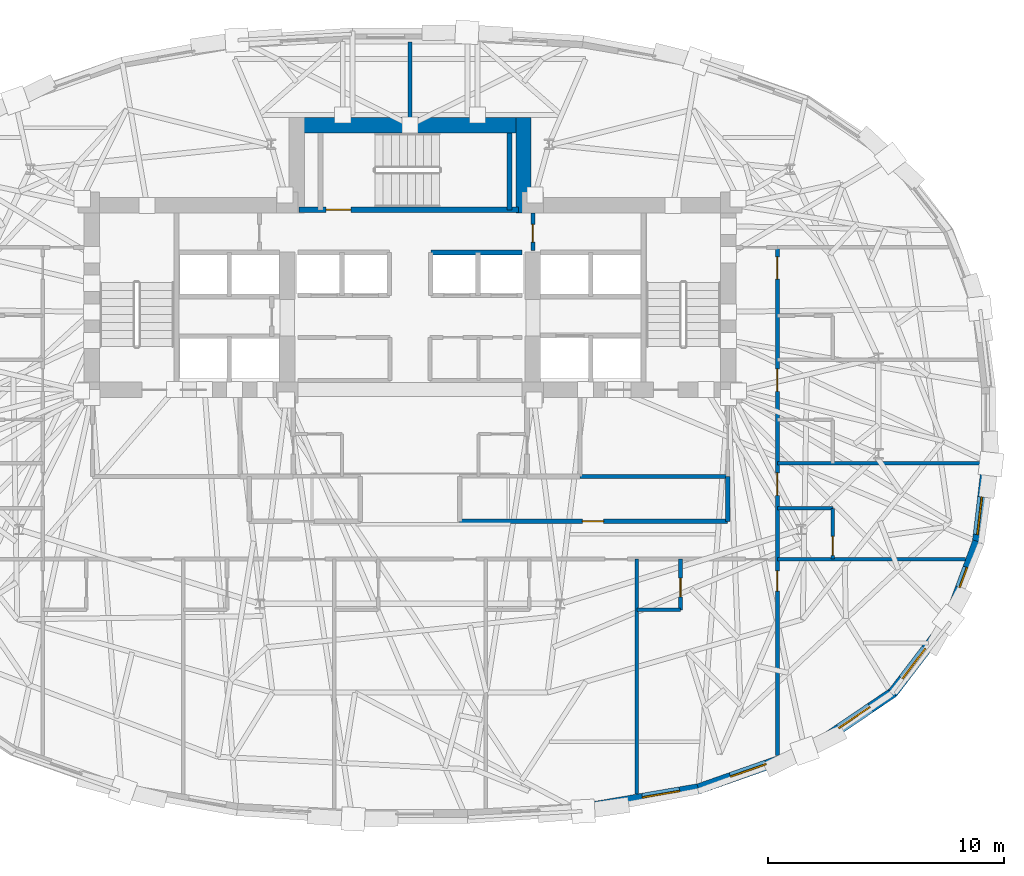
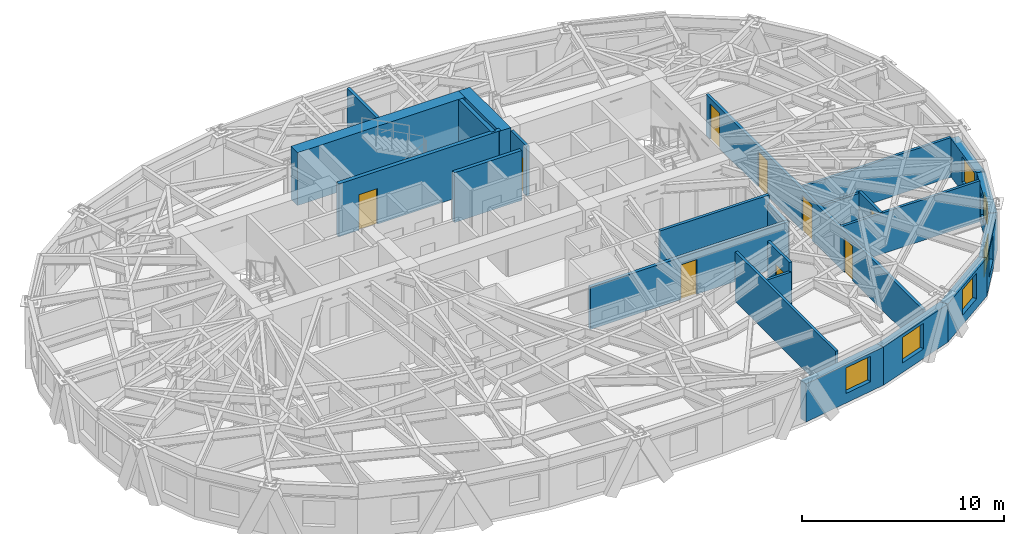
# One storey, part 9 of 15: 24 walls, 9 doors, 6 windows, 15 openings.
"""IFC4 building model written with IfcOpenShell, lengths in metres."""

from ifc_helpers import new_model, si_unit, direction, frame, frame_2d, origin, place, context, subcontext, project, spatial, rectangle, extrude, material, layer, layer_set, type_object, element, fill, save


model = new_model("IFC4")

# Units and contexts
model_context = context("Model", 3, precision=1e-05, world=origin(), true_north=direction((0.0, 1.0)))
body_context = subcontext(model_context, "Body", "Model", "MODEL_VIEW")
ifc_project = project(units=[si_unit("LENGTHUNIT", "METRE"), si_unit("AREAUNIT", "SQUARE_METRE"), si_unit("VOLUMEUNIT", "CUBIC_METRE"), si_unit("PLANEANGLEUNIT", "RADIAN"), si_unit("MASSUNIT", "GRAM", prefix="KILO")], contexts=[model_context])

# Site, building, storey
site_placement = place(None, origin())
site = spatial("IfcSite", under=ifc_project, at=site_placement, CompositionType="ELEMENT")
building_placement = place(site_placement, origin())
building = spatial("IfcBuilding", under=site, at=building_placement, Name="Keldmark Tower", CompositionType="ELEMENT")
storey_placement = place(building_placement, frame((0.0, 0.0, 143.800048828125)))
storey = spatial("IfcBuildingStorey", under=building, at=storey_placement, Name="L38", CompositionType="ELEMENT", Elevation=143.800048828125)

# Wall, opening, door
ifc_material_1 = material(Name="Heavy Acoustic Plumbing Chase Gypsum Assembly", Category="gypsum")
ifc_layer_1 = layer(ifc_material_1, 0.18994140625)
ifc_layer_set_1 = layer_set([ifc_layer_1], Name="Heavy Acoustic Plumbing Chase Gypsum Assembly")
wall_type_1 = type_object("IfcWallType", Name="Heavy Wet Wall 190 mm", PredefinedType="PLUMBINGWALL", material=ifc_layer_set_1)
wall_1_placement = place(storey_placement, frame((2.10009765625, -4.050048828125, 0.0), z_axis=(0.0, 0.0, 1.0), x_axis=(1.0, 0.0, 0.0)))
wall_1 = element("IfcWall", 1, at=wall_1_placement, inside=storey, type_object=wall_type_1, Name="L38 Heavy Wet Wall 190 mm SPK-E-S", PredefinedType="PLUMBINGWALL", context=body_context, shape_type="SweptSolid", body=[
    extrude(rectangle(XDim=11.349853515625, YDim=0.18994140625, at=frame_2d((5.6748046875, 0.0))), origin(), (0.0, 0.0, 1.0), 2.554931640625),
])
opening_1_placement = place(wall_1_placement, frame((5.199951171875, 0.0, 0.0)))
opening_1 = element("IfcOpeningElement", 2, at=opening_1_placement, cuts=wall_1, Name="Opening D-IN090", PredefinedType="OPENING", context=body_context, shape_type="SweptSolid", body=[
    extrude(rectangle(XDim=0.89990234375, YDim=2.10009765625, at=frame_2d((0.449951171875, 1.050048828125))), frame((0.0, 0.10498046875, 0.0), z_axis=(0.0, -1.0, 0.0), x_axis=(1.0, 0.0, 0.0)), (0.0, 0.0, 1.0), 0.2099609375),
])
ifc_material_2 = material(Name="Stained American White Oak Veneer", Category="wood")
door_type_1 = type_object("IfcDoorType", Name="Interior Door 900x2100", OperationType="NOTDEFINED", PredefinedType="DOOR", material=ifc_material_2)
door_1_placement = place(opening_1_placement, origin())
door_1 = element("IfcDoor", 3, at=door_1_placement, inside=storey, type_object=door_type_1, Name="L38 Interior Door 900x2100 D-SPKE1-L38", OperationType="SINGLE_SWING_RIGHT", OverallHeight=2.10009765625, OverallWidth=0.89990234375, PredefinedType="DOOR", context=body_context, shape_type="SweptSolid", body=[
    extrude(rectangle(XDim=0.89990234375, YDim=2.10009765625, at=frame_2d((0.449951171875, 1.050048828125))), frame((0.0, 0.02490234375, 0.0), z_axis=(0.0, -1.0, 0.0), x_axis=(1.0, 0.0, 0.0)), (0.0, 0.0, 1.0), 0.050048828125),
])
fill(opening_1, door_1)

# Walls
wall_2_placement = place(storey_placement, frame((13.449951171875, -4.050048828125, 0.0), z_axis=(0.0, 0.0, 1.0), x_axis=(0.0, 1.0, 0.0)))
element("IfcWall", 4, at=wall_2_placement, inside=storey, type_object=wall_type_1, Name="L38 Heavy Wet Wall 190 mm SPK-E-E", PredefinedType="PLUMBINGWALL", context=body_context, shape_type="SweptSolid", body=[
    extrude(rectangle(XDim=1.900146484375, YDim=0.18994140625, at=frame_2d((0.9501953125, 0.0))), origin(), (0.0, 0.0, 1.0), 2.472900390625),
])
ifc_material_3 = material(Name="Type X Fire-Rated Gypsum Partition Assembly", Category="gypsum")
ifc_layer_2 = layer(ifc_material_3, 0.1650390625)
ifc_layer_set_2 = layer_set([ifc_layer_2], Name="Type X Fire-Rated Gypsum Partition Assembly")
wall_type_2 = type_object("IfcWallType", Name="Rated Partition 165 mm", PredefinedType="PARTITIONING", material=ifc_layer_set_2)
wall_3_placement = place(storey_placement, frame((7.199951171875, -2.14990234375, 0.0), z_axis=(0.0, 0.0, 1.0), x_axis=(1.0, 0.0, 0.0)))
element("IfcWall", 5, at=wall_3_placement, inside=storey, type_object=wall_type_2, Name="L38 Rated Partition 165 mm FSAE-E-S", PredefinedType="PARTITIONING", context=body_context, shape_type="SweptSolid", body=[
    extrude(rectangle(XDim=6.25, YDim=0.1650390625, at=frame_2d((3.125, 0.0))), origin(), (0.0, 0.0, 1.0), 3.02001953125),
])

# Wall, opening, door
wall_4_placement = place(storey_placement, frame((5.199951171875, 7.419921875, 0.0), z_axis=(0.0, 0.0, 1.0), x_axis=(0.0, 1.0, 0.0)))
wall_4 = element("IfcWall", 6, at=wall_4_placement, inside=storey, type_object=wall_type_2, Name="L38 Rated Partition 165 mm CS-NE-W", PredefinedType="PARTITIONING", context=body_context, shape_type="SweptSolid", body=[
    extrude(rectangle(XDim=1.580078125, YDim=0.1650390625, at=frame_2d((0.7900390625, 0.0))), origin(), (0.0, 0.0, 1.0), 3.02001953125),
])
opening_2_placement = place(wall_4_placement, frame((0.35009765625, 0.0, 0.0)))
opening_2 = element("IfcOpeningElement", 7, at=opening_2_placement, cuts=wall_4, Name="Opening D-RS075", PredefinedType="OPENING", context=body_context, shape_type="SweptSolid", body=[
    extrude(rectangle(XDim=0.75, YDim=2.10009765625, at=frame_2d((0.375, 1.050048828125))), frame((0.0, 0.092529296875, 0.0), z_axis=(0.0, -1.0, 0.0), x_axis=(1.0, 0.0, 0.0)), (0.0, 0.0, 1.0), 0.18505859375),
])
ifc_material_4 = material(Name="Galvanized Fire-Rated Access Leaf", Category="metal")
door_type_2 = type_object("IfcDoorType", Name="Riser Access Door 750x2100", OperationType="NOTDEFINED", PredefinedType="DOOR", material=ifc_material_4)
door_2_placement = place(opening_2_placement, origin())
door_2 = element("IfcDoor", 8, at=door_2_placement, inside=storey, type_object=door_type_2, Name="L38 Riser Access Door 750x2100 D-CSNE1-L38", OperationType="SINGLE_SWING_LEFT", OverallHeight=2.10009765625, OverallWidth=0.75, PredefinedType="DOOR", context=body_context, shape_type="SweptSolid", body=[
    extrude(rectangle(XDim=0.75, YDim=2.10009765625, at=frame_2d((0.375, 1.050048828125))), frame((0.0, 0.02490234375, 0.0), z_axis=(0.0, -1.0, 0.0), x_axis=(1.0, 0.0, 0.0)), (0.0, 0.0, 1.0), 0.050048828125),
])
fill(opening_2, door_2)

# Wall, openings, doors
wall_5_placement = place(storey_placement, frame((15.550048828125, -13.964599609375, 0.0), z_axis=(0.0, 0.0, 1.0), x_axis=(0.0, 1.0, 0.0)))
wall_5 = element("IfcWall", 9, at=wall_5_placement, inside=storey, type_object=wall_type_2, Name="L38 Rated Partition 165 mm HCOR-E", PredefinedType="PARTITIONING", context=body_context, shape_type="SweptSolid", body=[
    extrude(rectangle(XDim=21.5146484375, YDim=0.1650390625, at=frame_2d((10.75732421875, 0.0))), origin(), (0.0, 0.0, 1.0), 2.472900390625),
])
opening_3_placement = place(wall_5_placement, frame((6.964111328125, 0.0, 0.0)))
opening_3 = element("IfcOpeningElement", 10, at=opening_3_placement, cuts=wall_5, Name="Opening D-IN085", PredefinedType="OPENING", context=body_context, shape_type="SweptSolid", body=[
    extrude(rectangle(XDim=0.85009765625, YDim=2.10009765625, at=frame_2d((0.425048828125, 1.050048828125))), frame((0.0, 0.092529296875, 0.0), z_axis=(0.0, -1.0, 0.0), x_axis=(1.0, 0.0, 0.0)), (0.0, 0.0, 1.0), 0.18505859375),
])
opening_4_placement = place(wall_5_placement, frame((11.01416015625, 0.0, 0.0)))
opening_4 = element("IfcOpeningElement", 11, at=opening_4_placement, cuts=wall_5, Name="Opening D-HT095", PredefinedType="OPENING", context=body_context, shape_type="SweptSolid", body=[
    extrude(rectangle(XDim=0.949951171875, YDim=2.14990234375, at=frame_2d((0.47509765625, 1.074951171875))), frame((0.0, 0.092529296875, 0.0), z_axis=(0.0, -1.0, 0.0), x_axis=(1.0, 0.0, 0.0)), (0.0, 0.0, 1.0), 0.18505859375),
])
opening_5_placement = place(wall_5_placement, frame((15.4140625, 0.0, 0.0)))
opening_5 = element("IfcOpeningElement", 12, at=opening_5_placement, cuts=wall_5, Name="Opening D-HT095", PredefinedType="OPENING", context=body_context, shape_type="SweptSolid", body=[
    extrude(rectangle(XDim=0.949951171875, YDim=2.14990234375, at=frame_2d((0.47509765625, 1.074951171875))), frame((0.0, 0.092529296875, 0.0), z_axis=(0.0, -1.0, 0.0), x_axis=(1.0, 0.0, 0.0)), (0.0, 0.0, 1.0), 0.18505859375),
])
opening_6_placement = place(wall_5_placement, frame((20.1650390625, 0.0, 0.0)))
opening_6 = element("IfcOpeningElement", 13, at=opening_6_placement, cuts=wall_5, Name="Opening D-HT095", PredefinedType="OPENING", context=body_context, shape_type="SweptSolid", body=[
    extrude(rectangle(XDim=0.949951171875, YDim=2.14990234375, at=frame_2d((0.47509765625, 1.074951171875))), frame((0.0, 0.092529296875, 0.0), z_axis=(0.0, -1.0, 0.0), x_axis=(1.0, 0.0, 0.0)), (0.0, 0.0, 1.0), 0.18505859375),
])
ifc_material_5 = material(Name="Solid-Core Acoustic White Oak Fire-Rated Assembly", Category="wood")
door_type_3 = type_object("IfcDoorType", Name="Hotel Entry Door 950x2150", OperationType="NOTDEFINED", PredefinedType="DOOR", material=ifc_material_5)
door_3_placement = place(opening_4_placement, origin())
door_3 = element("IfcDoor", 14, at=door_3_placement, inside=storey, type_object=door_type_3, Name="L38 Hotel Entry Door 950x2150 D-HR-9-L38", OperationType="SINGLE_SWING_LEFT", OverallHeight=2.14990234375, OverallWidth=0.949951171875, PredefinedType="DOOR", context=body_context, shape_type="SweptSolid", body=[
    extrude(rectangle(XDim=0.949951171875, YDim=2.14990234375, at=frame_2d((0.47509765625, 1.074951171875))), frame((0.0, 0.02490234375, 0.0), z_axis=(0.0, -1.0, 0.0), x_axis=(1.0, 0.0, 0.0)), (0.0, 0.0, 1.0), 0.050048828125),
])
fill(opening_4, door_3)
door_4_placement = place(opening_5_placement, origin())
door_4 = element("IfcDoor", 15, at=door_4_placement, inside=storey, type_object=door_type_3, Name="L38 Hotel Entry Door 950x2150 D-HR-10-L38", OperationType="SINGLE_SWING_LEFT", OverallHeight=2.14990234375, OverallWidth=0.949951171875, PredefinedType="DOOR", context=body_context, shape_type="SweptSolid", body=[
    extrude(rectangle(XDim=0.949951171875, YDim=2.14990234375, at=frame_2d((0.47509765625, 1.074951171875))), frame((0.0, 0.02490234375, 0.0), z_axis=(0.0, -1.0, 0.0), x_axis=(1.0, 0.0, 0.0)), (0.0, 0.0, 1.0), 0.050048828125),
])
fill(opening_5, door_4)
door_5_placement = place(opening_6_placement, origin())
door_5 = element("IfcDoor", 16, at=door_5_placement, inside=storey, type_object=door_type_3, Name="L38 Hotel Entry Door 950x2150 D-HR-11-L38", OperationType="SINGLE_SWING_LEFT", OverallHeight=2.14990234375, OverallWidth=0.949951171875, PredefinedType="DOOR", context=body_context, shape_type="SweptSolid", body=[
    extrude(rectangle(XDim=0.949951171875, YDim=2.14990234375, at=frame_2d((0.47509765625, 1.074951171875))), frame((0.0, 0.02490234375, 0.0), z_axis=(0.0, -1.0, 0.0), x_axis=(1.0, 0.0, 0.0)), (0.0, 0.0, 1.0), 0.050048828125),
])
fill(opening_6, door_5)
ifc_material_6 = material(Name="Painted Architectural Wood", Category="wood")
door_type_4 = type_object("IfcDoorType", Name="Interior Door 850x2100", OperationType="NOTDEFINED", PredefinedType="DOOR", material=ifc_material_6)
door_6_placement = place(opening_3_placement, origin())
door_6 = element("IfcDoor", 17, at=door_6_placement, inside=storey, type_object=door_type_4, Name="L38 Interior Door 850x2100 D-HKSE-L38", OperationType="SINGLE_SWING_RIGHT", OverallHeight=2.10009765625, OverallWidth=0.85009765625, PredefinedType="DOOR", context=body_context, shape_type="SweptSolid", body=[
    extrude(rectangle(XDim=0.85009765625, YDim=2.10009765625, at=frame_2d((0.425048828125, 1.050048828125))), frame((0.0, 0.02490234375, 0.0), z_axis=(0.0, -1.0, 0.0), x_axis=(1.0, 0.0, 0.0)), (0.0, 0.0, 1.0), 0.050048828125),
])
fill(opening_3, door_6)

# Walls
wall_6_placement = place(storey_placement, frame((0.0, 13.050048828125, 0.0), z_axis=(0.0, 0.0, 1.0), x_axis=(0.0, 1.0, 0.0)))
element("IfcWall", 18, at=wall_6_placement, inside=storey, type_object=wall_type_2, Name="L38 Rated Partition 165 mm HN-DIV", PredefinedType="PARTITIONING", context=body_context, shape_type="SweptSolid", body=[
    extrude(rectangle(XDim=3.19775390625, YDim=0.1650390625, at=frame_2d((1.598876953125, 0.0))), origin(), (0.0, 0.0, 1.0), 3.02001953125),
])
ifc_material_7 = material(Name="Fire-Resistant Type X Gypsum Shaftliner Coreboard", Category="gypsum")
ifc_layer_3 = layer(ifc_material_7, 0.199951171875)
ifc_layer_set_3 = layer_set([ifc_layer_3], Name="Fire-Resistant Type X Gypsum Shaftliner Coreboard")
wall_type_3 = type_object("IfcWallType", Name="Shaft Wall 200 mm", PredefinedType="SOLIDWALL", material=ifc_layer_set_3)
wall_7_placement = place(storey_placement, frame((0.8798828125, 7.330078125, 0.0), z_axis=(0.0, 0.0, 1.0), x_axis=(1.0, 0.0, 0.0)))
element("IfcWall", 19, at=wall_7_placement, inside=storey, type_object=wall_type_3, Name="L38 Shaft Wall 200 mm MID-N-E", PredefinedType="SOLIDWALL", context=body_context, shape_type="SweptSolid", body=[
    extrude(rectangle(XDim=3.860107421875, YDim=0.199951171875, at=frame_2d((1.93017578125, 0.0))), origin(), (0.0, 0.0, 1.0), 3.02001953125),
])

# Wall, opening, door
ifc_material_8 = material(Name="Concrete C50/60", Category="concrete")
ifc_layer_4 = layer(ifc_material_8, 0.219970703125)
ifc_layer_set_4 = layer_set([ifc_layer_4], Name="Concrete C50/60")
wall_type_4 = type_object("IfcWallType", Name="Stair Core Shear Wall 220 mm", PredefinedType="SHEAR", material=ifc_layer_set_4)
wall_8_placement = place(storey_placement, frame((-4.699951171875, 9.139892578125, 0.0), z_axis=(0.0, 0.0, 1.0), x_axis=(1.0, 0.0, 0.0)))
wall_8 = element("IfcWall", 20, at=wall_8_placement, inside=storey, type_object=wall_type_4, Name="L38 Central Stair Core South Shear Wall", PredefinedType="SHEAR", context=body_context, shape_type="SweptSolid", body=[
    extrude(rectangle(XDim=9.300048828125, YDim=0.219970703125, at=frame_2d((4.64990234375, 0.0))), origin(), (0.0, 0.0, 1.0), 3.199951171875),
])
opening_7_placement = place(wall_8_placement, frame((1.14990234375, 0.0, 0.0)))
opening_7 = element("IfcOpeningElement", 21, at=opening_7_placement, cuts=wall_8, Name="Opening D-ST105", PredefinedType="OPENING", context=body_context, shape_type="SweptSolid", body=[
    extrude(rectangle(XDim=1.050048828125, YDim=2.14990234375, at=frame_2d((0.52490234375, 1.074951171875))), frame((0.0, 0.119873046875, 0.0), z_axis=(0.0, -1.0, 0.0), x_axis=(1.0, 0.0, 0.0)), (0.0, 0.0, 1.0), 0.239990234375),
])
ifc_material_9 = material(Name="Hollow Metal Fire-Rated Door Assembly", Category="metal")
door_type_5 = type_object("IfcDoorType", Name="Stair Fire Door 1050x2150", OperationType="NOTDEFINED", PredefinedType="DOOR", material=ifc_material_9)
door_7_placement = place(opening_7_placement, origin())
door_7 = element("IfcDoor", 22, at=door_7_placement, inside=storey, type_object=door_type_5, Name="L38 Stair Fire Door 1050x2150 D-ST3-L38", OperationType="SINGLE_SWING_RIGHT", OverallHeight=2.14990234375, OverallWidth=1.050048828125, PredefinedType="DOOR", context=body_context, shape_type="SweptSolid", body=[
    extrude(rectangle(XDim=1.050048828125, YDim=2.14990234375, at=frame_2d((0.52490234375, 1.074951171875))), frame((0.0, 0.02490234375, 0.0), z_axis=(0.0, -1.0, 0.0), x_axis=(1.0, 0.0, 0.0)), (0.0, 0.0, 1.0), 0.050048828125),
])
fill(opening_7, door_7)

# Wall
wall_9_placement = place(storey_placement, frame((4.215087890625, 9.139892578125, 0.0), z_axis=(0.0, 0.0, 1.0), x_axis=(0.0, 1.0, 0.0)))
element("IfcWall", 23, at=wall_9_placement, inside=storey, type_object=wall_type_4, Name="L38 Central Stair Core East Shear Wall", PredefinedType="SHEAR", context=body_context, shape_type="SweptSolid", body=[
    extrude(rectangle(XDim=3.260009765625, YDim=0.219970703125, at=frame_2d((1.6298828125, 0.0))), origin(), (0.0, 0.0, 1.0), 3.199951171875),
])

# Wall, opening, window
ifc_material_10 = material(Name="Ironspot Manganese Brick and Kasota Buff Limestone Spandrel Assembly", Category="masonry")
ifc_layer_5 = layer(ifc_material_10, 0.43994140625)
ifc_layer_set_5 = layer_set([ifc_layer_5], Name="Ironspot Manganese Brick and Kasota Buff Limestone Spandrel Assembly")
wall_type_5 = type_object("IfcWallType", Name="Tower Brick Pier and Spandrel Wall 440 mm", PredefinedType="STANDARD", material=ifc_layer_set_5)
wall_10_placement = place(storey_placement, frame((12.252197265625, -15.367431640625, 0.0), z_axis=(0.0, 0.0, 1.0), x_axis=(-0.985640803986, -0.168855575915, 0.0)))
wall_10 = element("IfcWall", 24, at=wall_10_placement, inside=storey, type_object=wall_type_5, Name="L38 Exterior Brick and Spandrel Wall 26", PredefinedType="STANDARD", context=body_context, shape_type="SweptSolid", body=[
    extrude(rectangle(XDim=5.008544921875, YDim=0.43994140625, at=frame_2d((2.50439453125, 0.0))), origin(), (0.0, 0.0, 1.0), 2.31494140625),
])
opening_8_placement = place(wall_10_placement, frame((0.841064453125, 0.0, 0.580078125)))
opening_8 = element("IfcOpeningElement", 25, at=opening_8_placement, cuts=wall_10, Name="Opening W-04", PredefinedType="OPENING", context=body_context, shape_type="SweptSolid", body=[
    extrude(rectangle(XDim=1.60009765625, YDim=1.550048828125, at=frame_2d((0.800048828125, 0.77490234375))), frame((0.0, 0.22998046875, 0.0), z_axis=(0.0, -1.0, 0.0), x_axis=(1.0, 0.0, 0.0)), (0.0, 0.0, 1.0), 0.4599609375),
])
ifc_material_11 = material(Name="Thermally Broken Anodized Aluminum and Triple Low-E Argon Glazing", Category="aluminium")
window_type_1 = type_object("IfcWindowType", Name="Hotel Deep-Set Operable Window 1600x1550", PartitioningType="DOUBLE_PANEL_HORIZONTAL", PredefinedType="WINDOW", material=ifc_material_11)
window_1_placement = place(opening_8_placement, origin())
window_1 = element("IfcWindow", 26, at=window_1_placement, inside=storey, type_object=window_type_1, Name="L38 Deep-Set Window 26", OverallHeight=1.550048828125, OverallWidth=1.60009765625, PartitioningType="SINGLE_PANEL", PredefinedType="WINDOW", context=body_context, shape_type="SweptSolid", body=[
    extrude(rectangle(XDim=1.60009765625, YDim=1.550048828125, at=frame_2d((0.800048828125, 0.77490234375))), frame((0.0, -0.010009765625, 0.0), z_axis=(0.0, -1.0, 0.0), x_axis=(1.0, 0.0, 0.0)), (0.0, 0.0, 1.0), 0.06005859375),
])
fill(opening_8, window_1)

wall_11_placement = place(storey_placement, frame((16.833251953125, -13.755615234375, 0.0), z_axis=(0.0, 0.0, 1.0), x_axis=(-0.943528860281, -0.331290340662, 0.0)))
wall_11 = element("IfcWall", 27, at=wall_11_placement, inside=storey, type_object=wall_type_5, Name="L38 Exterior Brick and Spandrel Wall 27", PredefinedType="STANDARD", context=body_context, shape_type="SweptSolid", body=[
    extrude(rectangle(XDim=4.893310546875, YDim=0.43994140625, at=frame_2d((2.44677734375, 0.0))), origin(), (0.0, 0.0, 1.0), 2.31494140625),
])
opening_9_placement = place(wall_11_placement, frame((1.84619140625, 0.0, 0.580078125)))
opening_9 = element("IfcOpeningElement", 28, at=opening_9_placement, cuts=wall_11, Name="Opening W-04", PredefinedType="OPENING", context=body_context, shape_type="SweptSolid", body=[
    extrude(rectangle(XDim=1.60009765625, YDim=1.550048828125, at=frame_2d((0.800048828125, 0.77490234375))), frame((0.0, 0.22998046875, 0.0), z_axis=(0.0, -1.0, 0.0), x_axis=(1.0, 0.0, 0.0)), (0.0, 0.0, 1.0), 0.4599609375),
])
window_2_placement = place(opening_9_placement, origin())
window_2 = element("IfcWindow", 29, at=window_2_placement, inside=storey, type_object=window_type_1, Name="L38 Deep-Set Window 27", OverallHeight=1.550048828125, OverallWidth=1.60009765625, PartitioningType="SINGLE_PANEL", PredefinedType="WINDOW", context=body_context, shape_type="SweptSolid", body=[
    extrude(rectangle(XDim=1.60009765625, YDim=1.550048828125, at=frame_2d((0.800048828125, 0.77490234375))), frame((0.0, -0.010009765625, 0.0), z_axis=(0.0, -1.0, 0.0), x_axis=(1.0, 0.0, 0.0)), (0.0, 0.0, 1.0), 0.06005859375),
])
fill(opening_9, window_2)

wall_12_placement = place(storey_placement, frame((20.476806640625, -11.277099609375, 0.0), z_axis=(0.0, 0.0, 1.0), x_axis=(-0.827741657842, -0.561109390291, 0.0)))
wall_12 = element("IfcWall", 30, at=wall_12_placement, inside=storey, type_object=wall_type_5, Name="L38 Exterior Brick and Spandrel Wall 28", PredefinedType="STANDARD", context=body_context, shape_type="SweptSolid", body=[
    extrude(rectangle(XDim=4.462890625, YDim=0.43994140625, at=frame_2d((2.2314453125, 0.0))), origin(), (0.0, 0.0, 1.0), 2.31494140625),
])
opening_10_placement = place(wall_12_placement, frame((1.18505859375, 0.0, 0.580078125)))
opening_10 = element("IfcOpeningElement", 31, at=opening_10_placement, cuts=wall_12, Name="Opening W-04", PredefinedType="OPENING", context=body_context, shape_type="SweptSolid", body=[
    extrude(rectangle(XDim=1.60009765625, YDim=1.550048828125, at=frame_2d((0.800048828125, 0.77490234375))), frame((0.0, 0.22998046875, 0.0), z_axis=(0.0, -1.0, 0.0), x_axis=(1.0, 0.0, 0.0)), (0.0, 0.0, 1.0), 0.4599609375),
])
window_3_placement = place(opening_10_placement, origin())
window_3 = element("IfcWindow", 32, at=window_3_placement, inside=storey, type_object=window_type_1, Name="L38 Deep-Set Window 28", OverallHeight=1.550048828125, OverallWidth=1.60009765625, PartitioningType="SINGLE_PANEL", PredefinedType="WINDOW", context=body_context, shape_type="SweptSolid", body=[
    extrude(rectangle(XDim=1.60009765625, YDim=1.550048828125, at=frame_2d((0.800048828125, 0.77490234375))), frame((0.0, -0.010009765625, 0.0), z_axis=(0.0, -1.0, 0.0), x_axis=(1.0, 0.0, 0.0)), (0.0, 0.0, 1.0), 0.06005859375),
])
fill(opening_10, window_3)

wall_13_placement = place(storey_placement, frame((22.81689453125, -8.1962890625, 0.0), z_axis=(0.0, 0.0, 1.0), x_axis=(-0.607215400231, -0.794537260122, 0.0)))
wall_13 = element("IfcWall", 33, at=wall_13_placement, inside=storey, type_object=wall_type_5, Name="L38 Exterior Brick and Spandrel Wall 29", PredefinedType="STANDARD", context=body_context, shape_type="SweptSolid", body=[
    extrude(rectangle(XDim=3.938720703125, YDim=0.43994140625, at=frame_2d((1.96923828125, 0.0))), origin(), (0.0, 0.0, 1.0), 2.31494140625),
])
opening_11_placement = place(wall_13_placement, frame((1.591796875, 0.0, 0.580078125)))
opening_11 = element("IfcOpeningElement", 34, at=opening_11_placement, cuts=wall_13, Name="Opening W-04", PredefinedType="OPENING", context=body_context, shape_type="SweptSolid", body=[
    extrude(rectangle(XDim=1.60009765625, YDim=1.550048828125, at=frame_2d((0.800048828125, 0.77490234375))), frame((0.0, 0.22998046875, 0.0), z_axis=(0.0, -1.0, 0.0), x_axis=(1.0, 0.0, 0.0)), (0.0, 0.0, 1.0), 0.4599609375),
])
window_4_placement = place(opening_11_placement, origin())
window_4 = element("IfcWindow", 35, at=window_4_placement, inside=storey, type_object=window_type_1, Name="L38 Deep-Set Window 29", OverallHeight=1.550048828125, OverallWidth=1.60009765625, PartitioningType="SINGLE_PANEL", PredefinedType="WINDOW", context=body_context, shape_type="SweptSolid", body=[
    extrude(rectangle(XDim=1.60009765625, YDim=1.550048828125, at=frame_2d((0.800048828125, 0.77490234375))), frame((0.0, -0.010009765625, 0.0), z_axis=(0.0, -1.0, 0.0), x_axis=(1.0, 0.0, 0.0)), (0.0, 0.0, 1.0), 0.06005859375),
])
fill(opening_11, window_4)

wall_14_placement = place(storey_placement, frame((24.033203125, -4.906982421875, 0.0), z_axis=(0.0, 0.0, 1.0), x_axis=(-0.349422124021, -0.936965409844, 0.0)))
wall_14 = element("IfcWall", 36, at=wall_14_placement, inside=storey, type_object=wall_type_5, Name="L38 Exterior Brick and Spandrel Wall 30", PredefinedType="STANDARD", context=body_context, shape_type="SweptSolid", body=[
    extrude(rectangle(XDim=3.571044921875, YDim=0.43994140625, at=frame_2d((1.78564453125, 0.0))), origin(), (0.0, 0.0, 1.0), 2.31494140625),
])
opening_12_placement = place(wall_14_placement, frame((1.1875, 0.0, 0.580078125)))
opening_12 = element("IfcOpeningElement", 37, at=opening_12_placement, cuts=wall_14, Name="Opening W-09", PredefinedType="OPENING", context=body_context, shape_type="SweptSolid", body=[
    extrude(rectangle(XDim=0.89990234375, YDim=1.35009765625, at=frame_2d((0.449951171875, 0.675048828125))), frame((0.0, 0.22998046875, 0.0), z_axis=(0.0, -1.0, 0.0), x_axis=(1.0, 0.0, 0.0)), (0.0, 0.0, 1.0), 0.4599609375),
])
ifc_material_12 = material(Name="Thermally Broken Anodized Aluminum and Triple Low-E Argon Glazing", Category="aluminium")
window_type_2 = type_object("IfcWindowType", Name="Corner Pier Deep-Set Window 900x1350", PartitioningType="SINGLE_PANEL", PredefinedType="WINDOW", material=ifc_material_12)
window_5_placement = place(opening_12_placement, origin())
window_5 = element("IfcWindow", 38, at=window_5_placement, inside=storey, type_object=window_type_2, Name="L38 Deep-Set Window 30", OverallHeight=1.35009765625, OverallWidth=0.89990234375, PartitioningType="SINGLE_PANEL", PredefinedType="WINDOW", context=body_context, shape_type="SweptSolid", body=[
    extrude(rectangle(XDim=0.89990234375, YDim=1.35009765625, at=frame_2d((0.449951171875, 0.675048828125))), frame((0.0, -0.010009765625, 0.0), z_axis=(0.0, -1.0, 0.0), x_axis=(1.0, 0.0, 0.0)), (0.0, 0.0, 1.0), 0.06005859375),
])
fill(opening_12, window_5)

wall_15_placement = place(storey_placement, frame((24.4130859375, -1.61865234375, 0.0), z_axis=(0.0, 0.0, 1.0), x_axis=(-0.116605336518, -0.993178330158, 0.0)))
wall_15 = element("IfcWall", 39, at=wall_15_placement, inside=storey, type_object=wall_type_5, Name="L38 Exterior Brick and Spandrel Wall 31", PredefinedType="STANDARD", context=body_context, shape_type="SweptSolid", body=[
    extrude(rectangle(XDim=3.362548828125, YDim=0.43994140625, at=frame_2d((1.68115234375, 0.0))), origin(), (0.0, 0.0, 1.0), 2.31494140625),
])
opening_13_placement = place(wall_15_placement, frame((1.41650390625, 0.0, 0.580078125)))
opening_13 = element("IfcOpeningElement", 40, at=opening_13_placement, cuts=wall_15, Name="Opening W-04", PredefinedType="OPENING", context=body_context, shape_type="SweptSolid", body=[
    extrude(rectangle(XDim=1.60009765625, YDim=1.550048828125, at=frame_2d((0.800048828125, 0.77490234375))), frame((0.0, 0.22998046875, 0.0), z_axis=(0.0, -1.0, 0.0), x_axis=(1.0, 0.0, 0.0)), (0.0, 0.0, 1.0), 0.4599609375),
])
window_6_placement = place(opening_13_placement, origin())
window_6 = element("IfcWindow", 41, at=window_6_placement, inside=storey, type_object=window_type_1, Name="L38 Deep-Set Window 31", OverallHeight=1.550048828125, OverallWidth=1.60009765625, PartitioningType="SINGLE_PANEL", PredefinedType="WINDOW", context=body_context, shape_type="SweptSolid", body=[
    extrude(rectangle(XDim=1.60009765625, YDim=1.550048828125, at=frame_2d((0.800048828125, 0.77490234375))), frame((0.0, -0.010009765625, 0.0), z_axis=(0.0, -1.0, 0.0), x_axis=(1.0, 0.0, 0.0)), (0.0, 0.0, 1.0), 0.06005859375),
])
fill(opening_13, window_6)

# Walls
ifc_material_13 = material(Name="Concrete C50/60", Category="concrete")
ifc_layer_6 = layer(ifc_material_13, 0.64990234375)
ifc_layer_set_6 = layer_set([ifc_layer_6], Name="Concrete C50/60")
wall_type_6 = type_object("IfcWallType", Name="Upper-Mid Core Shear Wall 650 mm", PredefinedType="SHEAR", material=ifc_layer_set_6)
wall_16_placement = place(storey_placement, frame((-5.125, 12.72509765625, 0.0), z_axis=(0.0, 0.0, 1.0), x_axis=(1.0, 0.0, 0.0)))
element("IfcWall", 42, at=wall_16_placement, inside=storey, type_object=wall_type_6, Name="L38 North Core Shear Wall", PredefinedType="SHEAR", context=body_context, shape_type="SweptSolid", body=[
    extrude(rectangle(XDim=10.25, YDim=0.64990234375, at=frame_2d((5.125, 0.0))), origin(), (0.0, 0.0, 1.0), 3.199951171875),
])
wall_17_placement = place(storey_placement, frame((4.800048828125, 9.0, 0.0), z_axis=(0.0, 0.0, 1.0), x_axis=(0.0, 1.0, 0.0)))
element("IfcWall", 43, at=wall_17_placement, inside=storey, type_object=wall_type_6, Name="L38 North Core East Shear Wall", PredefinedType="SHEAR", context=body_context, shape_type="SweptSolid", body=[
    extrude(rectangle(XDim=4.050048828125, YDim=0.64990234375, at=frame_2d((2.02490234375, 0.0))), origin(), (0.0, 0.0, 1.0), 3.199951171875),
])
ifc_material_14 = material(Name="Moisture-Resistant Gypsum Plumbing Partition", Category="gypsum")
ifc_layer_7 = layer(ifc_material_14, 0.14990234375)
ifc_layer_set_7 = layer_set([ifc_layer_7], Name="Moisture-Resistant Gypsum Plumbing Partition")
wall_type_7 = type_object("IfcWallType", Name="Wet Wall 150 mm", PredefinedType="PLUMBINGWALL", material=ifc_layer_set_7)
wall_18_placement = place(storey_placement, frame((15.550048828125, -5.64990234375, 0.0), z_axis=(0.0, 0.0, 1.0), x_axis=(1.0, 0.0, 0.0)))
element("IfcWall", 44, at=wall_18_placement, inside=storey, type_object=wall_type_7, Name="L38 Wet Wall 150 mm HE-CAP-S", PredefinedType="PLUMBINGWALL", context=body_context, shape_type="SweptSolid", body=[
    extrude(rectangle(XDim=7.962890625, YDim=0.14990234375, at=frame_2d((3.9814453125, 0.0))), origin(), (0.0, 0.0, 1.0), 2.472900390625),
])
wall_19_placement = place(storey_placement, frame((9.60009765625, -15.590576171875, 0.0), z_axis=(0.0, 0.0, 1.0), x_axis=(0.0, 1.0, 0.0)))
element("IfcWall", 45, at=wall_19_placement, inside=storey, type_object=wall_type_7, Name="L38 Wet Wall 150 mm HS-DIV-4", PredefinedType="PLUMBINGWALL", context=body_context, shape_type="SweptSolid", body=[
    extrude(rectangle(XDim=9.940673828125, YDim=0.14990234375, at=frame_2d((4.97021484375, 0.0))), origin(), (0.0, 0.0, 1.0), 3.02001953125),
])

# Wall, opening, door
wall_20_placement = place(storey_placement, frame((11.449951171875, -7.800048828125, 0.0), z_axis=(0.0, 0.0, 1.0), x_axis=(0.0, 1.0, 0.0)))
wall_20 = element("IfcWall", 46, at=wall_20_placement, inside=storey, type_object=wall_type_7, Name="L38 Wet Wall 150 mm HB-S5-E", PredefinedType="PLUMBINGWALL", context=body_context, shape_type="SweptSolid", body=[
    extrude(rectangle(XDim=2.150146484375, YDim=0.14990234375, at=frame_2d((1.0751953125, 0.0))), origin(), (0.0, 0.0, 1.0), 3.02001953125),
])
opening_14_placement = place(wall_20_placement, frame((0.550048828125, 0.0, 0.0)))
opening_14 = element("IfcOpeningElement", 47, at=opening_14_placement, cuts=wall_20, Name="Opening D-BT080", PredefinedType="OPENING", context=body_context, shape_type="SweptSolid", body=[
    extrude(rectangle(XDim=0.800048828125, YDim=2.10009765625, at=frame_2d((0.39990234375, 1.050048828125))), frame((0.0, 0.0849609375, 0.0), z_axis=(0.0, -1.0, 0.0), x_axis=(1.0, 0.0, 0.0)), (0.0, 0.0, 1.0), 0.169921875),
])
ifc_material_15 = material(Name="Moisture-Sealed Stained Wood", Category="wood")
door_type_6 = type_object("IfcDoorType", Name="Bathroom Door 800x2100", OperationType="NOTDEFINED", PredefinedType="DOOR", material=ifc_material_15)
door_8_placement = place(opening_14_placement, origin())
door_8 = element("IfcDoor", 48, at=door_8_placement, inside=storey, type_object=door_type_6, Name="L38 Bathroom Door 800x2100 D-HBS5-L38", OperationType="SINGLE_SWING_RIGHT", OverallHeight=2.10009765625, OverallWidth=0.800048828125, PredefinedType="DOOR", context=body_context, shape_type="SweptSolid", body=[
    extrude(rectangle(XDim=0.800048828125, YDim=2.10009765625, at=frame_2d((0.39990234375, 1.050048828125))), frame((0.0, 0.02490234375, 0.0), z_axis=(0.0, -1.0, 0.0), x_axis=(1.0, 0.0, 0.0)), (0.0, 0.0, 1.0), 0.050048828125),
])
fill(opening_14, door_8)

# Walls
wall_21_placement = place(storey_placement, frame((9.60009765625, -7.800048828125, 0.0), z_axis=(0.0, 0.0, 1.0), x_axis=(1.0, 0.0, 0.0)))
element("IfcWall", 49, at=wall_21_placement, inside=storey, type_object=wall_type_7, Name="L38 Wet Wall 150 mm HB-S5-S", PredefinedType="PLUMBINGWALL", context=body_context, shape_type="SweptSolid", body=[
    extrude(rectangle(XDim=1.849853515625, YDim=0.14990234375, at=frame_2d((0.9248046875, 0.0))), origin(), (0.0, 0.0, 1.0), 2.472900390625),
])
wall_22_placement = place(storey_placement, frame((15.550048828125, -1.60009765625, 0.0), z_axis=(0.0, 0.0, 1.0), x_axis=(1.0, 0.0, 0.0)))
element("IfcWall", 50, at=wall_22_placement, inside=storey, type_object=wall_type_7, Name="L38 Wet Wall 150 mm HE-DIV-1", PredefinedType="PLUMBINGWALL", context=body_context, shape_type="SweptSolid", body=[
    extrude(rectangle(XDim=8.633544921875, YDim=0.14990234375, at=frame_2d((4.31689453125, 0.0))), origin(), (0.0, 0.0, 1.0), 2.39794921875),
])
wall_23_placement = place(storey_placement, frame((15.550048828125, -3.5, 0.0), z_axis=(0.0, 0.0, 1.0), x_axis=(1.0, 0.0, 0.0)))
element("IfcWall", 51, at=wall_23_placement, inside=storey, type_object=wall_type_7, Name="L38 Wet Wall 150 mm HB-9-N", PredefinedType="PLUMBINGWALL", context=body_context, shape_type="SweptSolid", body=[
    extrude(rectangle(XDim=2.349853515625, YDim=0.14990234375, at=frame_2d((1.1748046875, 0.0))), origin(), (0.0, 0.0, 1.0), 2.39794921875),
])

# Wall, opening, door
wall_24_placement = place(storey_placement, frame((17.89990234375, -5.64990234375, 0.0), z_axis=(0.0, 0.0, 1.0), x_axis=(0.0, 1.0, 0.0)))
wall_24 = element("IfcWall", 52, at=wall_24_placement, inside=storey, type_object=wall_type_7, Name="L38 Wet Wall 150 mm HB-9-IN", PredefinedType="PLUMBINGWALL", context=body_context, shape_type="SweptSolid", body=[
    extrude(rectangle(XDim=2.14990234375, YDim=0.14990234375, at=frame_2d((1.074951171875, 0.0))), origin(), (0.0, 0.0, 1.0), 2.472900390625),
])
opening_15_placement = place(wall_24_placement, frame((0.159912109375, 0.0, 0.0)))
opening_15 = element("IfcOpeningElement", 53, at=opening_15_placement, cuts=wall_24, Name="Opening D-BT080", PredefinedType="OPENING", context=body_context, shape_type="SweptSolid", body=[
    extrude(rectangle(XDim=0.800048828125, YDim=2.10009765625, at=frame_2d((0.39990234375, 1.050048828125))), frame((0.0, 0.0849609375, 0.0), z_axis=(0.0, -1.0, 0.0), x_axis=(1.0, 0.0, 0.0)), (0.0, 0.0, 1.0), 0.169921875),
])
door_9_placement = place(opening_15_placement, origin())
door_9 = element("IfcDoor", 54, at=door_9_placement, inside=storey, type_object=door_type_6, Name="L38 Bathroom Door 800x2100 D-HB-9-L38", OperationType="SINGLE_SWING_LEFT", OverallHeight=2.10009765625, OverallWidth=0.800048828125, PredefinedType="DOOR", context=body_context, shape_type="SweptSolid", body=[
    extrude(rectangle(XDim=0.800048828125, YDim=2.10009765625, at=frame_2d((0.39990234375, 1.050048828125))), frame((0.0, 0.02490234375, 0.0), z_axis=(0.0, -1.0, 0.0), x_axis=(1.0, 0.0, 0.0)), (0.0, 0.0, 1.0), 0.050048828125),
])
fill(opening_15, door_9)

save(model, "model.ifc")
